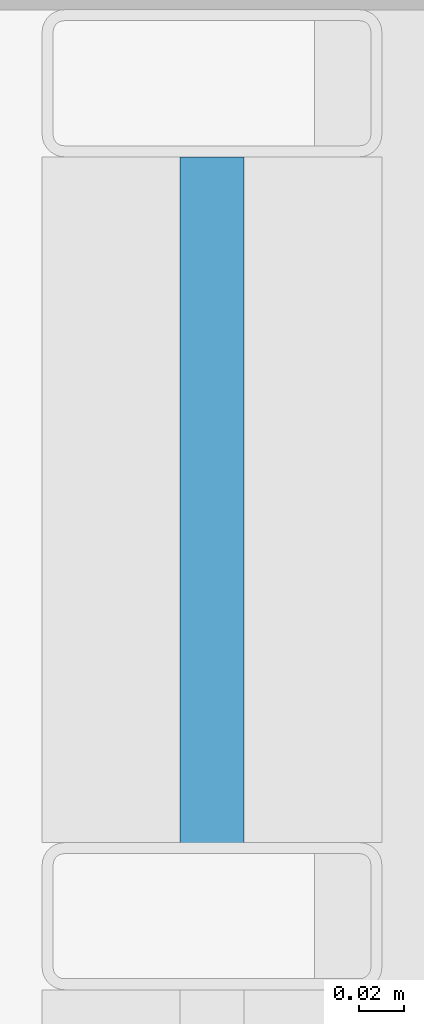
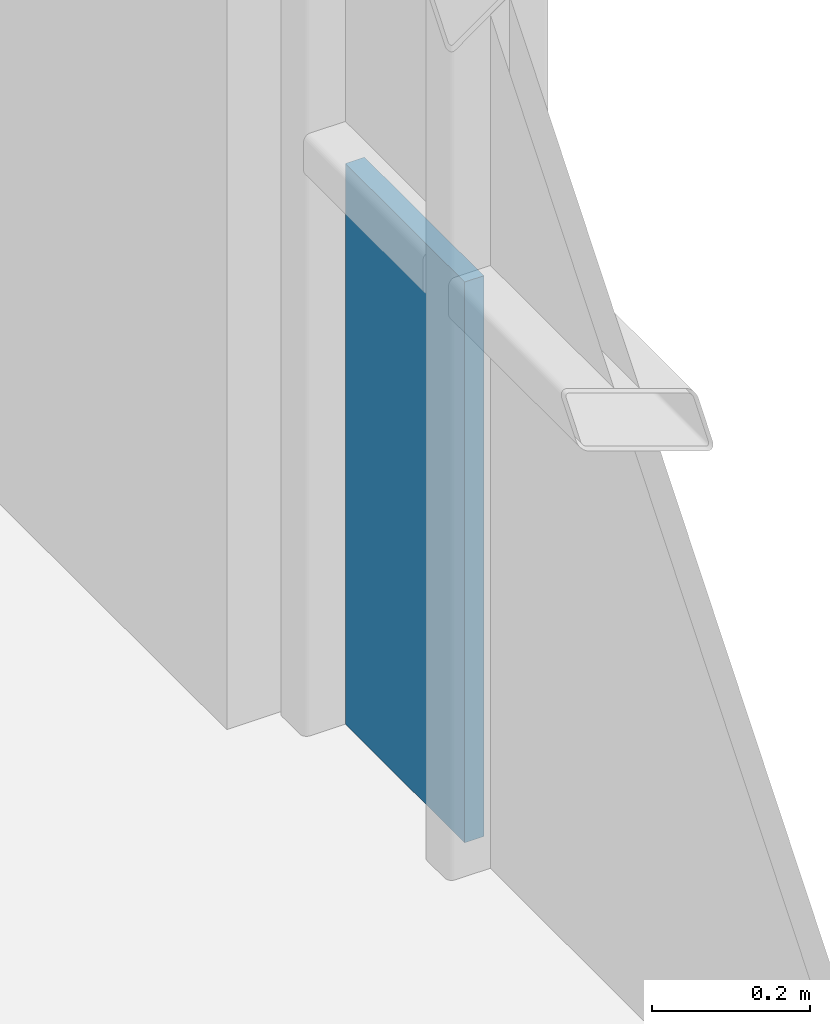
# One storey, part 32 of 41: 1 plate, 1 element without a shape of its own.
"""IFC4 building model written with IfcOpenShell, lengths in metres."""

from ifc_helpers import new_model, si_unit, direction, frame, origin, origin_2d, place, context, subcontext, project, spatial, rectangle, extrude, material, layer, layer_set, type_object, element, aggregate, save


model = new_model("IFC4")

# Units and contexts
model_context = context("Model", 3, precision=1e-05, world=origin(), true_north=direction((0.0, 1.0)))
body_context = subcontext(model_context, "Body", "Model", "MODEL_VIEW")
ifc_project = project(units=[si_unit("LENGTHUNIT", "METRE"), si_unit("AREAUNIT", "SQUARE_METRE"), si_unit("VOLUMEUNIT", "CUBIC_METRE"), si_unit("PLANEANGLEUNIT", "RADIAN"), si_unit("MASSUNIT", "GRAM", prefix="KILO")], contexts=[model_context])

# Site, building, storey
site_placement = place(None, origin())
site = spatial("IfcSite", under=ifc_project, at=site_placement, CompositionType="ELEMENT")
building_placement = place(site_placement, origin())
building = spatial("IfcBuilding", under=site, at=building_placement, Name="Brevholm Reach", CompositionType="ELEMENT")
storey_placement = place(building_placement, frame((0.0, 0.0, 138.699951171875)))
storey = spatial("IfcBuildingStorey", under=building, at=storey_placement, Name="L41", CompositionType="ELEMENT", Elevation=138.699951171875)

# Curtain wall, plate
ifc_material_1 = material(Name="Dark Anodised Aluminium 6063-T6 and Solar-Control Glass", Category="aluminium")
ifc_layer_1 = layer(ifc_material_1, 0.14990234375)
ifc_layer_set_1 = layer_set([ifc_layer_1], Name="Dark Anodised Aluminium 6063-T6 and Solar-Control Glass")
curtain_wall_type = type_object("IfcCurtainWallType", Name="CW-01", PredefinedType="NOTDEFINED", material=ifc_layer_set_1)
curtain_wall_placement = place(storey_placement, origin())
curtain_wall = element("IfcCurtainWall", 1, at=curtain_wall_placement, inside=storey, type_object=curtain_wall_type, Name="L41 Curtain Wall CW-01", PredefinedType="NOTDEFINED")
ifc_material_2 = material(Name="Dark Solar-Control Double-Glazed IGU Glass", Category="glass")
ifc_layer_2 = layer(ifc_material_2, 0.028076171875)
ifc_layer_set_2 = layer_set([ifc_layer_2], Name="Dark Solar-Control Double-Glazed IGU Glass")
plate_type = type_object("IfcPlateType", Name="CWP-GLZ-28", PredefinedType="CURTAIN_PANEL", material=ifc_layer_set_2)
plate_placement = place(storey_placement, frame((59.85009765625, 22.733642578125, 0.0), z_axis=(0.0, 0.0, 1.0), x_axis=(0.0, 1.0, 0.0)))
plate = element("IfcPlate", 2, at=plate_placement, type_object=plate_type, Name="CP-01 Glazing Panel 5.1", PredefinedType="CURTAIN_PANEL", context=body_context, shape_type="SweptSolid", body=[
    extrude(rectangle(XDim=0.302490234375, YDim=0.028076171875, at=origin_2d()), origin(), (0.0, 0.0, 1.0), 0.867431640625),
])
aggregate(curtain_wall, [plate])

save(model, "model.ifc")
